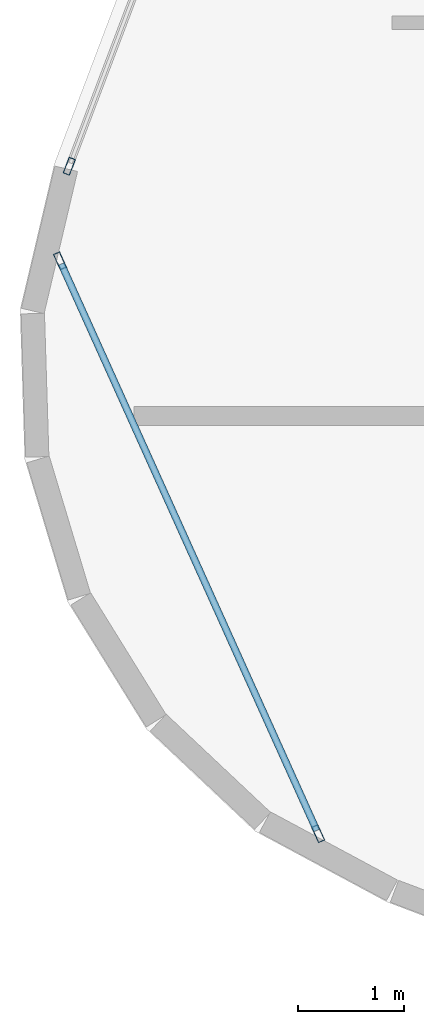
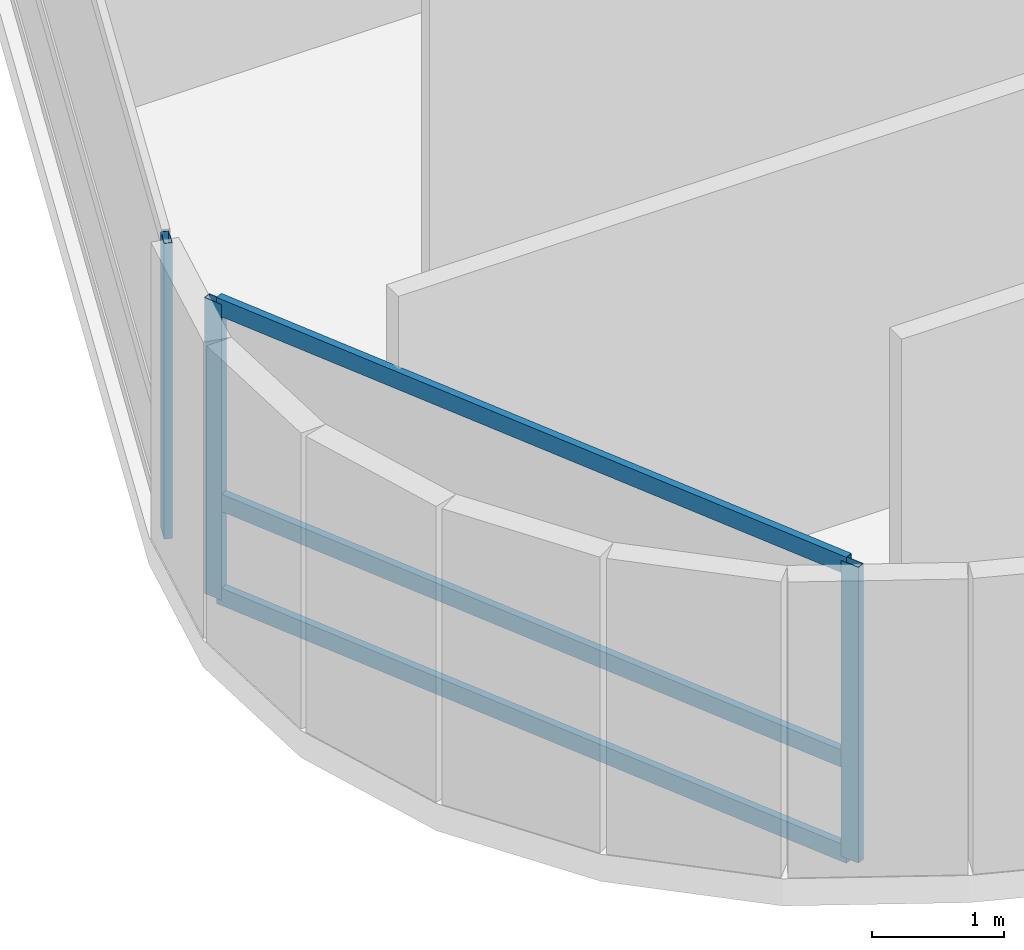
# One storey, part 2 of 25: 6 members, 2 elements without a shape of their own.
"""IFC4 building model written with IfcOpenShell, lengths in metres."""

import ifcopenshell
import ifcopenshell.guid

model = None  # the IFC model being written
_history = None  # IfcOwnerHistory: only IFC2X3 demands one
_inside = {}  # id of a spatial element -> (the spatial element, [elements in it])
_under = {}  # id of a project, library or spatial element -> (it, [spatial elements below it])
_declared = {}  # id of a project -> (the project, [libraries it declares])
_typed = {}  # id of a type object -> (the type object, [elements of that type])
_made_of = {}  # id of a material, layer set ... -> (it, [elements and type objects made of it])


def new_model(schema):
    """Start an empty IFC model of exactly this schema.

    Asked for "IFC4X3", IfcOpenShell would pick the latest addendum, in which some entities
    have other attributes; the version numbers below select the first issue.
    IFC2X3 requires an IfcOwnerHistory on every rooted entity: one is made here for all.
    """
    global model, _history
    if schema == "IFC4X3":
        model = ifcopenshell.file(schema_version=(4, 3, 0, 0))
    else:
        model = ifcopenshell.file(schema=schema)
    _inside.clear()
    _under.clear()
    _declared.clear()
    _typed.clear()
    _made_of.clear()
    _history = None
    if model.schema == "IFC2X3":
        org = make("IfcOrganization", Name="unknown")
        user = make(
            "IfcPersonAndOrganization",
            ThePerson=make("IfcPerson", FamilyName="unknown"),
            TheOrganization=org,
        )
        app = make(
            "IfcApplication",
            ApplicationDeveloper=org,
            Version="unknown",
            ApplicationFullName="unknown",
            ApplicationIdentifier="unknown",
        )
        _history = make(
            "IfcOwnerHistory",
            OwningUser=user,
            OwningApplication=app,
            ChangeAction="ADDED",
            CreationDate=0,
        )
    return model


def make(cls, **values):
    """One entity of the class cls with the attributes given. An attribute that is None is left unset."""
    return model.create_entity(
        cls, **{name: value for name, value in values.items() if value is not None}
    )


def rooted(cls, **values):
    """An entity with a GlobalId (a new one), such as an element, a storey or a relation."""
    return make(cls, GlobalId=ifcopenshell.guid.new(), OwnerHistory=_history, **values)


def si_unit(unit_type, name, prefix=None):
    """IfcSIUnit, for example si_unit("LENGTHUNIT", "METRE", prefix="MILLI")."""
    return make("IfcSIUnit", UnitType=unit_type, Prefix=prefix, Name=name)


def assignment(units):
    """IfcUnitAssignment: the units of a project."""
    return None if units is None else make("IfcUnitAssignment", Units=units)


def point(xyz):
    """IfcCartesianPoint."""
    return None if xyz is None else make("IfcCartesianPoint", Coordinates=xyz)


def direction(xyz):
    """IfcDirection."""
    return None if xyz is None else make("IfcDirection", DirectionRatios=xyz)


def frame(location, z_axis=None, x_axis=None):
    """IfcAxis2Placement3D, a coordinate frame: its origin and axes. An axis left out is left unset."""
    return make(
        "IfcAxis2Placement3D",
        Location=point(location),
        Axis=direction(z_axis),
        RefDirection=direction(x_axis),
    )


def frame_2d(location, x_axis=None):
    """IfcAxis2Placement2D, a coordinate frame in the plane: its origin and x axis."""
    return make(
        "IfcAxis2Placement2D", Location=point(location), RefDirection=direction(x_axis)
    )


def origin():
    """The frame at (0, 0, 0) with its axes left unset."""
    return frame((0.0, 0.0, 0.0))


def origin_2d():
    """The frame at (0, 0) in the plane with its x axis left unset."""
    return frame_2d((0.0, 0.0))


def place(relative_to, where):
    """IfcLocalPlacement: puts the frame where relative to a parent placement (None: the world)."""
    return make(
        "IfcLocalPlacement", PlacementRelTo=relative_to, RelativePlacement=where
    )


def context(
    kind, dimensions, precision=None, world=None, true_north=None, identifier=None
):
    """IfcGeometricRepresentationContext, for example the 3D "Model" context."""
    return make(
        "IfcGeometricRepresentationContext",
        ContextIdentifier=identifier,
        ContextType=kind,
        CoordinateSpaceDimension=dimensions,
        Precision=precision,
        WorldCoordinateSystem=world,
        TrueNorth=true_north,
    )


def subcontext(parent, identifier, kind, view, scale=None):
    """IfcGeometricRepresentationSubContext, for example "Body" below "Model"."""
    return make(
        "IfcGeometricRepresentationSubContext",
        ContextIdentifier=identifier,
        ContextType=kind,
        ParentContext=parent,
        TargetScale=scale,
        TargetView=view,
    )


def project(units=None, contexts=None):
    """IfcProject with its units and contexts."""
    return rooted(
        "IfcProject",
        Name="project",
        RepresentationContexts=contexts,
        UnitsInContext=assignment(units),
    )


def spatial(cls, under=None, at=None, **own):
    """A site, building, storey or space (cls), placed at a placement, below another one or the project."""
    s = rooted(cls, ObjectPlacement=at, **own)
    if under is not None:
        _under.setdefault(under.id(), (under, []))[1].append(s)
    return s


def profile(cls, at=None, kind="AREA", **sizes):
    """A parametric profile (cls). Its sizes go by their IFC names, for example OverallWidth=200.0."""
    return make(cls, ProfileType=kind, Position=at, **sizes)


def hollow_rectangle(**sizes):
    """IfcRectangleHollowProfileDef."""
    return profile("IfcRectangleHollowProfileDef", **sizes)


def extrude(swept, where, along, depth):
    """IfcExtrudedAreaSolid: the profile swept, set in the frame where, extruded along a direction by depth."""
    return make(
        "IfcExtrudedAreaSolid",
        SweptArea=swept,
        Position=where,
        ExtrudedDirection=direction(along),
        Depth=depth,
    )


def shape(context_of_items, identifier, shape_type, items):
    """IfcShapeRepresentation: the items that make up one representation, for example the "Body"."""
    return make(
        "IfcShapeRepresentation",
        ContextOfItems=context_of_items,
        RepresentationIdentifier=identifier,
        RepresentationType=shape_type,
        Items=items,
    )


def material(Name=None, Category=None):
    """IfcMaterial."""
    return make("IfcMaterial", Name=Name, Category=Category)


def layer(
    of_material, thickness, ventilated=None, Name=None, Category=None, Priority=None
):
    """IfcMaterialLayer: one layer of a wall or slab, of a material (None: an air gap)."""
    return make(
        "IfcMaterialLayer",
        Material=of_material,
        LayerThickness=thickness,
        IsVentilated=ventilated,
        Name=Name,
        Category=Category,
        Priority=Priority,
    )


def layer_set(layers, Name=None):
    """IfcMaterialLayerSet."""
    return make("IfcMaterialLayerSet", MaterialLayers=layers, LayerSetName=Name)


def material_profile(
    of_material, cross_section, Name=None, Category=None, Priority=None
):
    """IfcMaterialProfile: a cross section and its material."""
    return make(
        "IfcMaterialProfile",
        Name=Name,
        Material=of_material,
        Profile=cross_section,
        Priority=Priority,
        Category=Category,
    )


def profile_set(profiles, Name=None, composite=None):
    """IfcMaterialProfileSet."""
    return make(
        "IfcMaterialProfileSet",
        Name=Name,
        MaterialProfiles=profiles,
        CompositeProfile=composite,
    )


def made_of(thing, what):
    """Note that an element or type object is made of a material, layer set ...; save() writes the relation."""
    if what is not None:
        _made_of.setdefault(what.id(), (what, []))[1].append(thing)
    return thing


def type_object(cls, material=None, **own):
    """A type object (cls), such as IfcWallType, which elements share."""
    return made_of(rooted(cls, **own), material)


def element(
    cls,
    number,
    at=None,
    inside=None,
    cuts=None,
    type_object=None,
    material=None,
    context=None,
    identifier="Body",
    shape_type=None,
    held_by="IfcProductDefinitionShape",
    body=None,
    shapes=None,
    **own,
):
    """One element of the class cls, such as IfcWall. Its Tag is "e" and its number.

    at: its placement. inside: the storey or other place that contains it. cuts: it is an
    opening in that element (IfcRelVoidsElement). A single representation is given by context,
    identifier, shape_type and body (its items); several are given by shapes. held_by: the class
    of the entity that holds the representations. save() writes the other relations.
    """
    e = rooted(cls, Tag="e%d" % number, ObjectPlacement=at, **own)
    if body is not None:
        shapes = [shape(context, identifier, shape_type, body)]
    if shapes is not None:
        e.Representation = make(held_by, Representations=shapes)
    if inside is not None:
        _inside.setdefault(inside.id(), (inside, []))[1].append(e)
    if cuts is not None:
        rooted(
            "IfcRelVoidsElement", RelatingBuildingElement=cuts, RelatedOpeningElement=e
        )
    if type_object is not None:
        _typed.setdefault(type_object.id(), (type_object, []))[1].append(e)
    return made_of(e, material)


def aggregate(whole, parts):
    """IfcRelAggregates: a whole, such as a stair, and the parts it consists of."""
    return rooted("IfcRelAggregates", RelatingObject=whole, RelatedObjects=parts)


def save(model, path):
    """Write the relations noted so far, then the file.

    IfcRelAggregates (storeys below a building ...), IfcRelContainedInSpatialStructure (elements
    in a storey), IfcRelDefinesByType, IfcRelAssociatesMaterial and IfcRelDeclares: one each for
    every whole, place, type object, material and project.
    """
    for whole, parts in _under.values():
        aggregate(whole, parts)
    for where, things in _inside.values():
        rooted(
            "IfcRelContainedInSpatialStructure",
            RelatedElements=things,
            RelatingStructure=where,
        )
    for kind, things in _typed.values():
        rooted("IfcRelDefinesByType", RelatedObjects=things, RelatingType=kind)
    for what, things in _made_of.values():
        rooted("IfcRelAssociatesMaterial", RelatedObjects=things, RelatingMaterial=what)
    for by, libraries in _declared.values():
        rooted("IfcRelDeclares", RelatingContext=by, RelatedDefinitions=libraries)
    model.write(path)


model = new_model("IFC4")

# Units and contexts
model_context = context("Model", 3, precision=1e-05, world=origin(), true_north=direction((0.0, 1.0)))
body_context = subcontext(model_context, "Body", "Model", "MODEL_VIEW")
ifc_project = project(units=[si_unit("LENGTHUNIT", "METRE"), si_unit("AREAUNIT", "SQUARE_METRE"), si_unit("VOLUMEUNIT", "CUBIC_METRE"), si_unit("PLANEANGLEUNIT", "RADIAN"), si_unit("MASSUNIT", "GRAM", prefix="KILO")], contexts=[model_context])

# Site, building, storey
site_placement = place(None, origin())
site = spatial("IfcSite", under=ifc_project, at=site_placement, CompositionType="ELEMENT")
building_placement = place(site_placement, origin())
building = spatial("IfcBuilding", under=site, at=building_placement, Name="Varnelok Gate Tower", CompositionType="ELEMENT")
storey_placement = place(building_placement, frame((0.0, 0.0, 105.800048828125)))
storey = spatial("IfcBuildingStorey", under=building, at=storey_placement, Name="L26", CompositionType="ELEMENT", Elevation=105.800048828125)

# Curtain wall, member
ifc_material = material(Name="Anodized Aluminum Alloy 6063-T6", Category="aluminium")
ifc_layer_1 = layer(ifc_material, 0.179931640625)
ifc_layer_set_1 = layer_set([ifc_layer_1], Name="Anodized Aluminum Alloy 6063-T6")
curtain_wall_type_1 = type_object("IfcCurtainWallType", Name="CW3-HOTEL-VISION", PredefinedType="USERDEFINED", material=ifc_layer_set_1)
curtain_wall_1_placement = place(storey_placement, origin())
curtain_wall_1 = element("IfcCurtainWall", 1, at=curtain_wall_1_placement, inside=storey, type_object=curtain_wall_type_1, Name="L26 West End Vision Curtain Wall", ObjectType="UNITISED CURTAIN WALL", PredefinedType="USERDEFINED")
ifc_material_profile_1 = material_profile(ifc_material, hollow_rectangle(XDim=0.06494140625, YDim=0.159912109375, WallThickness=0.00390625, at=origin_2d()), Name="ALU160X65X4")
ifc_profile_set_1 = profile_set([ifc_material_profile_1], Name="Anodized Aluminum Alloy 6063-T6")
member_type_1 = type_object("IfcMemberType", Name="CW-MULL-160", PredefinedType="MULLION", material=ifc_profile_set_1)
member_1_placement = place(storey_placement, frame((-2.04345703125, 21.59521484375, 0.0), z_axis=(0.0, 0.0, 1.0), x_axis=(-0.935221323688, 0.354063660545, 0.0)))
member_1 = element("IfcMember", 2, at=member_1_placement, type_object=member_type_1, Name="CW3 mullion 1", PredefinedType="MULLION", context=body_context, shape_type="SweptSolid", body=[
    extrude(hollow_rectangle(XDim=0.06494140625, YDim=0.159912109375, WallThickness=0.00390625, at=origin_2d()), origin(), (0.0, 0.0, 1.0), 2.72998046875),
])
aggregate(curtain_wall_1, [member_1])

# Curtain wall, members
ifc_layer_2 = layer(ifc_material, 0.179931640625)
ifc_layer_set_2 = layer_set([ifc_layer_2], Name="Anodized Aluminum Alloy 6063-T6")
curtain_wall_type_2 = type_object("IfcCurtainWallType", Name="CW5-WINDCORNER-GLAZ", PredefinedType="USERDEFINED", material=ifc_layer_set_2)
curtain_wall_2_placement = place(storey_placement, origin())
curtain_wall_2 = element("IfcCurtainWall", 3, at=curtain_wall_2_placement, inside=storey, type_object=curtain_wall_type_2, Name="L26 Wind-Shaped Corner Curtain Wall SW", ObjectType="STRUCTURAL GLAZING", PredefinedType="USERDEFINED")
member_2_placement = place(storey_placement, frame((-2.1318359375, 20.703369140625, 0.0), z_axis=(0.0, 0.0, 1.0), x_axis=(0.911663577603, 0.410937369038, 0.0)))
member_2 = element("IfcMember", 4, at=member_2_placement, type_object=member_type_1, Name="CW5 mullion 1", PredefinedType="MULLION", context=body_context, shape_type="SweptSolid", body=[
    extrude(hollow_rectangle(XDim=0.06494140625, YDim=0.159912109375, WallThickness=0.00390625, at=origin_2d()), origin(), (0.0, 0.0, 1.0), 2.72998046875),
])
member_3_placement = place(storey_placement, frame((0.305419921875, 15.296142578125, 0.0), z_axis=(0.0, 0.0, 1.0), x_axis=(0.911663577603, 0.410937369038, 0.0)))
member_3 = element("IfcMember", 5, at=member_3_placement, type_object=member_type_1, Name="CW5 mullion 2", PredefinedType="MULLION", context=body_context, shape_type="SweptSolid", body=[
    extrude(hollow_rectangle(XDim=0.06494140625, YDim=0.159912109375, WallThickness=0.00390625, at=origin_2d()), origin(), (0.0, 0.0, 1.0), 2.72998046875),
])
ifc_material_profile_2 = material_profile(ifc_material, hollow_rectangle(XDim=0.06494140625, YDim=0.159912109375, WallThickness=0.00390625, at=origin_2d()), Name="ALU160X65X4")
ifc_profile_set_2 = profile_set([ifc_material_profile_2], Name="Anodized Aluminum Alloy 6063-T6")
member_type_2 = type_object("IfcMemberType", Name="CW-TRAN-160", PredefinedType="USERDEFINED", material=ifc_profile_set_2)
member_4_placement = place(storey_placement, frame((-2.11865234375, 20.673828125, 0.032470703125), z_axis=(0.410928724524, -0.911667474116, 0.0), x_axis=(0.911667474116, 0.410928724524, 0.0)))
member_4 = element("IfcMember", 6, at=member_4_placement, type_object=member_type_2, Name="CW5 transom 1.1", ObjectType="TRANSOM", PredefinedType="USERDEFINED", context=body_context, shape_type="SweptSolid", body=[
    extrude(hollow_rectangle(XDim=0.06494140625, YDim=0.159912109375, WallThickness=0.00390625, at=origin_2d()), origin(), (0.0, 0.0, 1.0), 5.8662109375),
])
member_5_placement = place(storey_placement, frame((-2.11865234375, 20.673828125, 0.89990234375), z_axis=(0.410928724524, -0.911667474116, 0.0), x_axis=(0.911667474116, 0.410928724524, 0.0)))
member_5 = element("IfcMember", 7, at=member_5_placement, type_object=member_type_2, Name="CW5 transom 1.2", ObjectType="TRANSOM", PredefinedType="USERDEFINED", context=body_context, shape_type="SweptSolid", body=[
    extrude(hollow_rectangle(XDim=0.06494140625, YDim=0.159912109375, WallThickness=0.00390625, at=origin_2d()), origin(), (0.0, 0.0, 1.0), 5.8662109375),
])
member_6_placement = place(storey_placement, frame((-2.11865234375, 20.673828125, 2.697509765625), z_axis=(0.410928724524, -0.911667474116, 0.0), x_axis=(0.911667474116, 0.410928724524, 0.0)))
member_6 = element("IfcMember", 8, at=member_6_placement, type_object=member_type_2, Name="CW5 transom 1.3", ObjectType="TRANSOM", PredefinedType="USERDEFINED", context=body_context, shape_type="SweptSolid", body=[
    extrude(hollow_rectangle(XDim=0.06494140625, YDim=0.159912109375, WallThickness=0.00390625, at=origin_2d()), origin(), (0.0, 0.0, 1.0), 5.8662109375),
])
aggregate(curtain_wall_2, [member_2, member_3, member_4, member_5, member_6])

save(model, "model.ifc")
